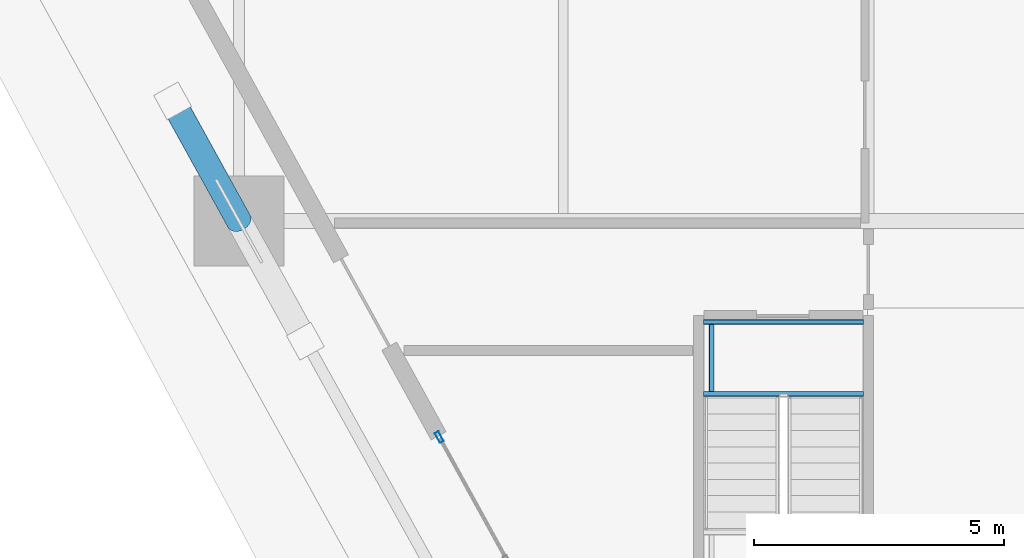
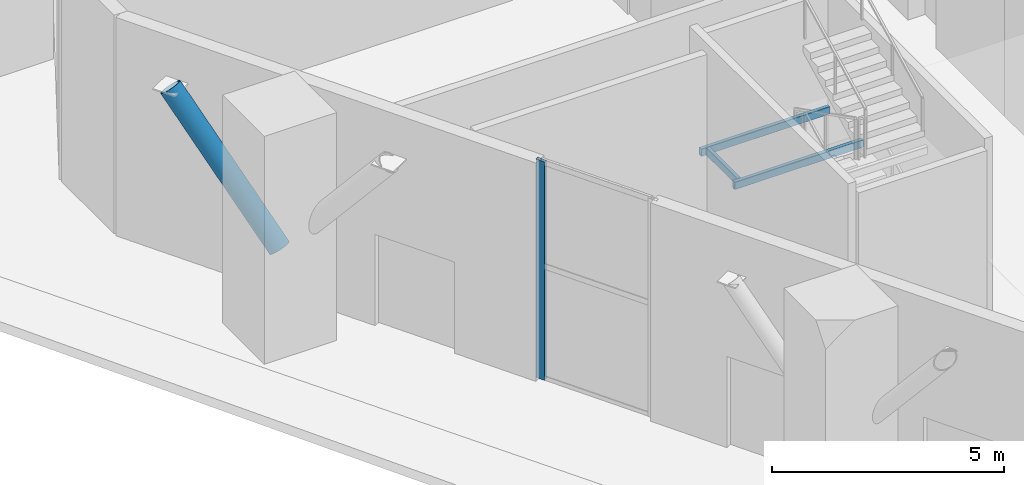
# One storey, part 5 of 22: 3 beams, 2 members, 1 element without a shape of its own.
"""IFC4 building model written with IfcOpenShell, lengths in metres."""

from ifc_helpers import new_model, si_unit, direction, frame, origin, origin_2d, place, context, subcontext, project, spatial, hollow_rectangle, hollow_circle, extrude, material, layer, layer_set, material_profile, profile_set, type_object, element, aggregate, save


model = new_model("IFC4")

# Units and contexts
model_context = context("Model", 3, precision=1e-05, world=origin(), true_north=direction((0.0, 1.0)))
body_context = subcontext(model_context, "Body", "Model", "MODEL_VIEW")
ifc_project = project(units=[si_unit("LENGTHUNIT", "METRE"), si_unit("AREAUNIT", "SQUARE_METRE"), si_unit("VOLUMEUNIT", "CUBIC_METRE"), si_unit("PLANEANGLEUNIT", "RADIAN"), si_unit("MASSUNIT", "GRAM", prefix="KILO")], contexts=[model_context])

# Site, building, storey
site_placement = place(None, origin())
site = spatial("IfcSite", under=ifc_project, at=site_placement, CompositionType="ELEMENT")
building_placement = place(site_placement, origin())
building = spatial("IfcBuilding", under=site, at=building_placement, Name="Cinnabar Lancet Tower", CompositionType="ELEMENT")
storey_placement = place(building_placement, origin())
storey = spatial("IfcBuildingStorey", under=building, at=storey_placement, Name="L00", CompositionType="ELEMENT", Elevation=0.0)

# Curtain wall, member
ifc_material_1 = material(Name="Thermally broken bronze-anodized aluminium and low-E glass", Category="aluminium")
ifc_layer = layer(ifc_material_1, 0.179931640625)
ifc_layer_set = layer_set([ifc_layer], Name="Thermally broken bronze-anodized aluminium and low-E glass")
curtain_wall_type = type_object("IfcCurtainWallType", Name="ENV-CW-SYS-01", PredefinedType="NOTDEFINED", material=ifc_layer_set)
curtain_wall_placement = place(storey_placement, origin())
curtain_wall = element("IfcCurtainWall", 1, at=curtain_wall_placement, inside=storey, type_object=curtain_wall_type, Name="L00 Face 6 Lobby Curtain Wall", PredefinedType="NOTDEFINED")
ifc_material_2 = material(Name="Anodized architectural aluminium 6063-T6", Category="aluminium")
ifc_material_profile_1 = material_profile(ifc_material_2, hollow_rectangle(XDim=0.0849609375, YDim=0.219970703125, WallThickness=0.0048828125, InnerFilletRadius=0.00244140625, OuterFilletRadius=0.007568359375, at=origin_2d()), Name="CW-MUL 220x85x5")
ifc_profile_set_1 = profile_set([ifc_material_profile_1], Name="Anodized architectural aluminium 6063-T6")
member_type_1 = type_object("IfcMemberType", Name="ENV-CW-MUL-220", PredefinedType="MULLION", material=ifc_profile_set_1)
member_1_placement = place(storey_placement, frame((8.92236328125, 15.36279296875, 0.0), z_axis=(0.0, 0.0, 1.0), x_axis=(-0.875981693706, -0.482344350326, 0.0)))
member_1 = element("IfcMember", 2, at=member_1_placement, type_object=member_type_1, Name="CW-01 mullion 2", PredefinedType="MULLION", context=body_context, shape_type="SweptSolid", body=[
    extrude(hollow_rectangle(XDim=0.0849609375, YDim=0.219970703125, WallThickness=0.0048828125, InnerFilletRadius=0.00244140625, OuterFilletRadius=0.007568359375, at=origin_2d()), origin(), (0.0, 0.0, 1.0), 5.75),
])
aggregate(curtain_wall, [member_1])

# Beams
ifc_material_3 = material(Name="Structural steel S355", Category="steel")
ifc_material_profile_2 = material_profile(ifc_material_3, hollow_rectangle(XDim=0.10009765625, YDim=0.199951171875, WallThickness=0.008056640625, InnerFilletRadius=0.00390625, OuterFilletRadius=0.011962890625, at=origin_2d()), Name="RHS 200x100x8")
ifc_profile_set_2 = profile_set([ifc_material_profile_2], Name="Structural steel S355")
beam_type = type_object("IfcBeamType", Name="STR-BM-LND-203", PredefinedType="BEAM", material=ifc_profile_set_2)
for number, where, z_axis, x_axis, name in (
    (3, (14.219970703125, 16.22998046875, 2.699951171875), (1.0, 0.0, 0.0), (0.0, 1.0, 0.0), "L00 ST-3-L00 Landing Support Beam S"),
    (4, (14.219970703125, 17.669921875, 2.699951171875), (1.0, 0.0, 0.0), (0.0, 1.0, 0.0), "L00 ST-3-L00 Landing Support Beam N"),
):
    element("IfcBeam", number, at=place(storey_placement, frame(where, z_axis=z_axis, x_axis=x_axis)), inside=storey, type_object=beam_type, Name=name, PredefinedType="BEAM", context=body_context, shape_type="SweptSolid", body=[
        extrude(hollow_rectangle(XDim=0.10009765625, YDim=0.199951171875, WallThickness=0.008056640625, InnerFilletRadius=0.00390625, OuterFilletRadius=0.011962890625, at=origin_2d()), origin(), (0.0, 0.0, 1.0), 3.199951171875),
    ])
beam_placement = place(storey_placement, frame((14.3798828125, 16.280029296875, 2.699951171875), z_axis=(0.0, 1.0, 0.0), x_axis=(-1.0, 0.0, 0.0)))
element("IfcBeam", 5, at=beam_placement, inside=storey, type_object=beam_type, Name="L00 ST-3-L00 Landing Side Trimmer Beam", PredefinedType="BEAM", context=body_context, shape_type="SweptSolid", body=[
    extrude(hollow_rectangle(XDim=0.10009765625, YDim=0.199951171875, WallThickness=0.008056640625, InnerFilletRadius=0.00390625, OuterFilletRadius=0.011962890625, at=origin_2d()), origin(), (0.0, 0.0, 1.0), 1.340087890625),
])

# Member
ifc_material_4 = material(Name="Structural steel S460", Category="steel")
ifc_material_profile_3 = material_profile(ifc_material_4, hollow_circle(Radius=0.25390625, WallThickness=0.02490234375, at=origin_2d()), Name="CHS 508x25")
ifc_profile_set_3 = profile_set([ifc_material_profile_3], Name="Structural steel S460")
member_type_2 = type_object("IfcMemberType", Name="STR-MEM-YPIL-508", PredefinedType="STRUT", material=ifc_profile_set_3)
member_2_placement = place(storey_placement, frame((4.908935546875, 19.69189453125, 2.199951171875), z_axis=(-0.31235614599, 0.565417954739, 0.763371583517), x_axis=(-0.875314711245, -0.483553674661, 0.0)))
element("IfcMember", 6, at=member_2_placement, inside=storey, type_object=member_type_2, Name="Y-Pilotis Inclined Branch Strut 11A", PredefinedType="STRUT", context=body_context, shape_type="SweptSolid", body=[
    extrude(hollow_circle(Radius=0.25390625, WallThickness=0.02490234375, at=origin_2d()), origin(), (0.0, 0.0, 1.0), 4.25732421875),
])

save(model, "model.ifc")
